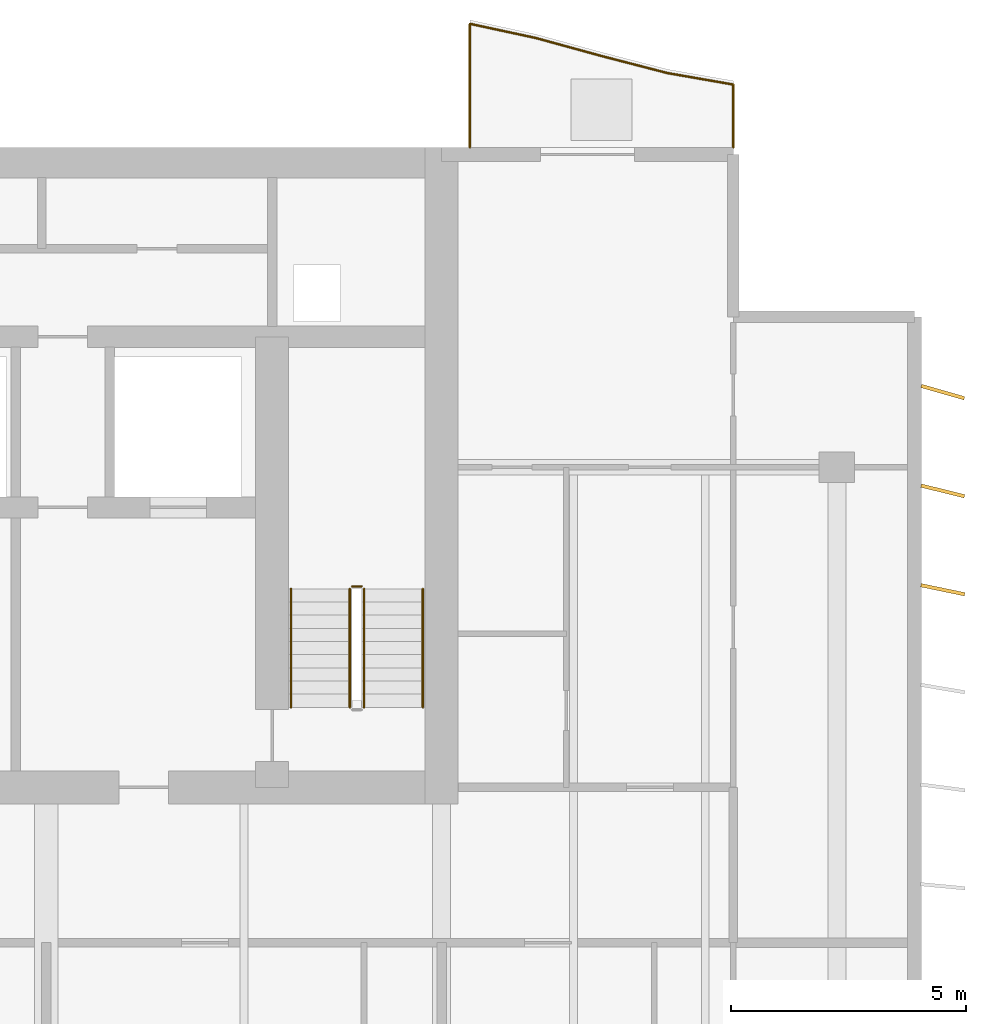
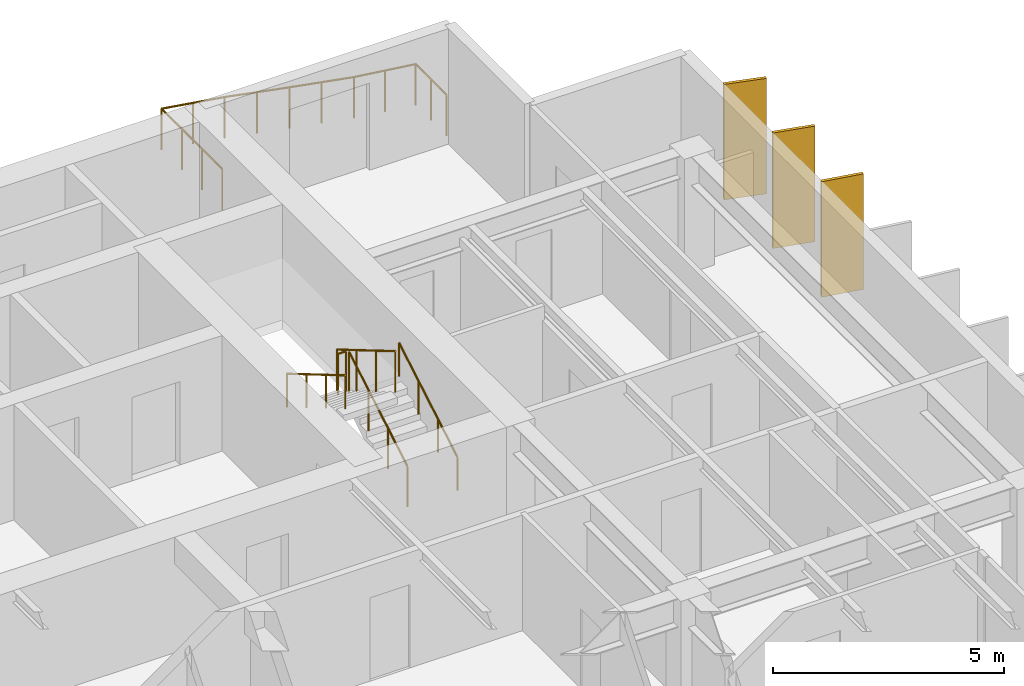
# One storey, part 17 of 17: 6 railings, 3 shading devices.
"""IFC4 building model written with IfcOpenShell, lengths in metres."""

from ifc_helpers import new_model, si_unit, direction, frame, origin, origin_2d, place, context, subcontext, project, spatial, rectangle, circle, extrude, material, material_profile, profile_set, type_object, element, save


model = new_model("IFC4")

# Units and contexts
model_context = context("Model", 3, precision=1e-05, world=origin(), true_north=direction((0.0, 1.0)))
body_context = subcontext(model_context, "Body", "Model", "MODEL_VIEW")
ifc_project = project(units=[si_unit("LENGTHUNIT", "METRE"), si_unit("AREAUNIT", "SQUARE_METRE"), si_unit("VOLUMEUNIT", "CUBIC_METRE"), si_unit("PLANEANGLEUNIT", "RADIAN"), si_unit("MASSUNIT", "GRAM", prefix="KILO")], contexts=[model_context])

# Site, building, storey
site_placement = place(None, origin())
site = spatial("IfcSite", under=ifc_project, at=site_placement, CompositionType="ELEMENT")
building_placement = place(site_placement, origin())
building = spatial("IfcBuilding", under=site, at=building_placement, Name="Caelmar Bay Residences", CompositionType="ELEMENT")
storey_placement = place(building_placement, frame((0.0, 0.0, 243.0)))
storey = spatial("IfcBuildingStorey", under=building, at=storey_placement, Name="L68", CompositionType="ELEMENT", Elevation=243.0)

# Railings
ifc_material_1 = material(Name="Anodised bronze handrail with laminated hurricane glass infill", Category="glass")
railing_type_1 = type_object("IfcRailingType", Name="RL-BAL-1100", PredefinedType="BALUSTRADE", material=ifc_material_1)
railing_1_placement = place(storey_placement, frame((65.699951171875, 50.60009765625, 0.0)))
element("IfcRailing", 1, at=railing_1_placement, inside=storey, type_object=railing_type_1, Name="L68 north_east Balcony Balustrade", PredefinedType="BALUSTRADE", context=body_context, shape_type="SweptSolid", body=[
    extrude(circle(Radius=0.02392578125, at=origin_2d()), frame((0.0, 0.0, 1.076171875), z_axis=(0.0, 1.0, 0.0), x_axis=(-1.0, 0.0, 0.0)), (0.0, 0.0, 1.0), 1.334716796875),
    extrude(circle(Radius=0.02392578125, at=origin_2d()), frame((0.0, 1.334716796875, 1.076171875), z_axis=(-0.985101853006, 0.171971913997, 0.0), x_axis=(-0.171971913997, -0.985101853006, 0.0)), (0.0, 0.0, 1.0), 1.421142578125),
    extrude(circle(Radius=0.02392578125, at=origin_2d()), frame((-1.39990234375, 1.5791015625, 1.076171875), z_axis=(-0.968113743572, 0.250511036698, 0.0), x_axis=(-0.250511036698, -0.968113743572, 0.0)), (0.0, 0.0, 1.0), 1.4462890625),
    extrude(circle(Radius=0.02392578125, at=origin_2d()), frame((-2.800048828125, 1.94140625, 1.076171875), z_axis=(-0.964456525256, 0.264241576766, 0.0), x_axis=(-0.264241576766, -0.964456525256, 0.0)), (0.0, 0.0, 1.0), 1.451416015625),
    extrude(circle(Radius=0.02392578125, at=origin_2d()), frame((-4.199951171875, 2.324951171875, 1.076171875), z_axis=(-0.97754721646, 0.210716491026, 0.0), x_axis=(-0.210716491026, -0.97754721646, 0.0)), (0.0, 0.0, 1.0), 1.43212890625),
    extrude(circle(Radius=0.02392578125, at=origin_2d()), frame((-5.599853515625, 2.626708984375, 1.076171875), z_axis=(0.0, -1.0, 0.0), x_axis=(1.0, 0.0, 0.0)), (0.0, 0.0, 1.0), 2.626708984375),
    extrude(circle(Radius=0.02099609375, at=origin_2d()), origin(), (0.0, 0.0, 1.0), 1.052001953125),
    extrude(circle(Radius=0.02099609375, at=origin_2d()), frame((0.0, 0.66748046875, 0.0)), (0.0, 0.0, 1.0), 1.052001953125),
    extrude(circle(Radius=0.02099609375, at=origin_2d()), frame((0.0, 1.334716796875, 0.0)), (0.0, 0.0, 1.0), 1.052001953125),
    extrude(circle(Radius=0.02099609375, at=origin_2d()), frame((-0.699951171875, 1.45703125, 0.0)), (0.0, 0.0, 1.0), 1.052001953125),
    extrude(circle(Radius=0.02099609375, at=origin_2d()), frame((-1.39990234375, 1.5791015625, 0.0)), (0.0, 0.0, 1.0), 1.052001953125),
    extrude(circle(Radius=0.02099609375, at=origin_2d()), frame((-2.10009765625, 1.76025390625, 0.0)), (0.0, 0.0, 1.0), 1.052001953125),
    extrude(circle(Radius=0.02099609375, at=origin_2d()), frame((-2.800048828125, 1.94140625, 0.0)), (0.0, 0.0, 1.0), 1.052001953125),
    extrude(circle(Radius=0.02099609375, at=origin_2d()), frame((-3.5, 2.13330078125, 0.0)), (0.0, 0.0, 1.0), 1.052001953125),
    extrude(circle(Radius=0.02099609375, at=origin_2d()), frame((-4.199951171875, 2.324951171875, 0.0)), (0.0, 0.0, 1.0), 1.052001953125),
    extrude(circle(Radius=0.02099609375, at=origin_2d()), frame((-4.89990234375, 2.475830078125, 0.0)), (0.0, 0.0, 1.0), 1.052001953125),
    extrude(circle(Radius=0.02099609375, at=origin_2d()), frame((-5.599853515625, 2.626708984375, 0.0)), (0.0, 0.0, 1.0), 1.052001953125),
    extrude(circle(Radius=0.02099609375, at=origin_2d()), frame((-5.599853515625, 1.751220703125, 0.0)), (0.0, 0.0, 1.0), 1.052001953125),
    extrude(circle(Radius=0.02099609375, at=origin_2d()), frame((-5.599853515625, 0.87548828125, 0.0)), (0.0, 0.0, 1.0), 1.052001953125),
    extrude(circle(Radius=0.02099609375, at=origin_2d()), frame((-5.599853515625, 0.0, 0.0)), (0.0, 0.0, 1.0), 1.052001953125),
])
ifc_material_2 = material(Name="Painted galvanized steel stair guard 1100 mm", Category="steel")
railing_type_2 = type_object("IfcRailingType", Name="RL-GRD-1100", PredefinedType="GUARDRAIL", material=ifc_material_2)
railing_2_placement = place(storey_placement, frame((57.85009765625, 38.699951171875, 0.1650390625)))
element("IfcRailing", 2, at=railing_2_placement, inside=storey, type_object=railing_type_2, Name="L68 ST2 stair guard 1", PredefinedType="GUARDRAIL", context=body_context, shape_type="SweptSolid", body=[
    extrude(circle(Radius=0.02392578125, at=origin_2d()), frame((0.0, 0.0, 1.076171875), z_axis=(0.0, 0.861560626758, 0.507654692109), x_axis=(-1.0, 0.0, 0.0)), (0.0, 0.0, 1.0), 2.925048828125),
    extrude(circle(Radius=0.02099609375, at=origin_2d()), origin(), (0.0, 0.0, 1.0), 1.052001953125),
    extrude(circle(Radius=0.02099609375, at=origin_2d()), frame((0.0, 0.840087890625, 0.494873046875)), (0.0, 0.0, 1.0), 1.052001953125),
    extrude(circle(Radius=0.02099609375, at=origin_2d()), frame((0.0, 1.679931640625, 0.989990234375)), (0.0, 0.0, 1.0), 1.052001953125),
    extrude(circle(Radius=0.02099609375, at=origin_2d()), frame((0.0, 2.52001953125, 1.48486328125)), (0.0, 0.0, 1.0), 1.052001953125),
])
railing_3_placement = place(storey_placement, frame((57.800048828125, 41.27001953125, 1.64990234375)))
element("IfcRailing", 3, at=railing_3_placement, inside=storey, type_object=railing_type_2, Name="L68 ST2 stair guard 2", PredefinedType="GUARDRAIL", context=body_context, shape_type="SweptSolid", body=[
    extrude(circle(Radius=0.02392578125, at=origin_2d()), frame((0.0, 0.0, 1.076171875), z_axis=(-1.0, 0.0, 0.0), x_axis=(0.0, -1.0, 0.0)), (0.0, 0.0, 1.0), 0.199951171875),
    extrude(circle(Radius=0.02099609375, at=origin_2d()), origin(), (0.0, 0.0, 1.0), 1.052001953125),
    extrude(circle(Radius=0.02099609375, at=origin_2d()), frame((-0.199951171875, 0.0, 0.0)), (0.0, 0.0, 1.0), 1.052001953125),
])
railing_4_placement = place(storey_placement, frame((57.550048828125, 41.219970703125, 1.81494140625)))
element("IfcRailing", 4, at=railing_4_placement, inside=storey, type_object=railing_type_2, Name="L68 ST2 stair guard 3", PredefinedType="GUARDRAIL", context=body_context, shape_type="SweptSolid", body=[
    extrude(circle(Radius=0.02392578125, at=origin_2d()), frame((0.0, 0.0, 1.076171875), z_axis=(0.0, -0.86152411907, 0.507716645641), x_axis=(1.0, 0.0, 0.0)), (0.0, 0.0, 1.0), 2.925048828125),
    extrude(circle(Radius=0.02099609375, at=origin_2d()), origin(), (0.0, 0.0, 1.0), 1.052001953125),
    extrude(circle(Radius=0.02099609375, at=origin_2d()), frame((0.0, -0.840087890625, 0.4951171875)), (0.0, 0.0, 1.0), 1.052001953125),
    extrude(circle(Radius=0.02099609375, at=origin_2d()), frame((0.0, -1.679931640625, 0.989990234375)), (0.0, 0.0, 1.0), 1.052001953125),
    extrude(circle(Radius=0.02099609375, at=origin_2d()), frame((0.0, -2.52001953125, 1.485107421875)), (0.0, 0.0, 1.0), 1.052001953125),
])
ifc_material_3 = material(Name="Brushed bronze stainless-steel tubular handrail 900 mm", Category="steel")
railing_type_3 = type_object("IfcRailingType", Name="RL-HND-900", PredefinedType="HANDRAIL", material=ifc_material_3)
railing_5_placement = place(storey_placement, frame((59.10009765625, 38.699951171875, 0.1650390625)))
element("IfcRailing", 5, at=railing_5_placement, inside=storey, type_object=railing_type_3, Name="L68 ST2 stair handrail 1", PredefinedType="HANDRAIL", context=body_context, shape_type="SweptSolid", body=[
    extrude(circle(Radius=0.02392578125, at=origin_2d()), frame((0.0, 0.0, 0.8759765625), z_axis=(0.0, 0.861560626758, 0.507654692109), x_axis=(-1.0, 0.0, 0.0)), (0.0, 0.0, 1.0), 2.925048828125),
    extrude(circle(Radius=0.02099609375, at=origin_2d()), origin(), (0.0, 0.0, 1.0), 0.851806640625),
    extrude(circle(Radius=0.02099609375, at=origin_2d()), frame((0.0, 0.840087890625, 0.494873046875)), (0.0, 0.0, 1.0), 0.851806640625),
    extrude(circle(Radius=0.02099609375, at=origin_2d()), frame((0.0, 1.679931640625, 0.989990234375)), (0.0, 0.0, 1.0), 0.851806640625),
    extrude(circle(Radius=0.02099609375, at=origin_2d()), frame((0.0, 2.52001953125, 1.48486328125)), (0.0, 0.0, 1.0), 0.851806640625),
])
railing_6_placement = place(storey_placement, frame((56.300048828125, 41.219970703125, 1.81494140625)))
element("IfcRailing", 6, at=railing_6_placement, inside=storey, type_object=railing_type_3, Name="L68 ST2 stair handrail 2", PredefinedType="HANDRAIL", context=body_context, shape_type="SweptSolid", body=[
    extrude(circle(Radius=0.02392578125, at=origin_2d()), frame((0.0, 0.0, 0.8759765625), z_axis=(0.0, -0.86152411907, 0.507716645641), x_axis=(1.0, 0.0, 0.0)), (0.0, 0.0, 1.0), 2.925048828125),
    extrude(circle(Radius=0.02099609375, at=origin_2d()), origin(), (0.0, 0.0, 1.0), 0.851806640625),
    extrude(circle(Radius=0.02099609375, at=origin_2d()), frame((0.0, -0.840087890625, 0.4951171875)), (0.0, 0.0, 1.0), 0.851806640625),
    extrude(circle(Radius=0.02099609375, at=origin_2d()), frame((0.0, -1.679931640625, 0.989990234375)), (0.0, 0.0, 1.0), 0.851806640625),
    extrude(circle(Radius=0.02099609375, at=origin_2d()), frame((0.0, -2.52001953125, 1.485107421875)), (0.0, 0.0, 1.0), 0.851806640625),
])

# Shading devices
ifc_material_4 = material(Name="Anodised architectural bronze aluminium 6063-T6", Category="aluminium")
ifc_material_profile = material_profile(ifc_material_4, rectangle(XDim=0.074951171875, YDim=0.949951171875, at=origin_2d()), Name="BRONZE-FIN-75X950")
ifc_profile_set = profile_set([ifc_material_profile], Name="Anodised architectural bronze aluminium 6063-T6")
shading_device_type = type_object("IfcShadingDeviceType", Name="SHD-FIN-950", PredefinedType="USERDEFINED", material=ifc_profile_set)
for number, where, z_axis, x_axis, name in (
    (7, (70.14990234375, 41.199951171875, 0.0), (0.0, 0.0, 1.0), (0.2032999874, 0.979116497217, 0.0), "L68 East Bronze Solar Fin 14"),
    (8, (70.14990234375, 43.300048828125, 0.0), (0.0, 0.0, 1.0), (0.239719743609, 0.970842131618, 0.0), "L68 East Bronze Solar Fin 15"),
    (9, (70.14990234375, 45.39990234375, 0.0), (0.0, 0.0, 1.0), (0.275637355817, 0.961261695938, 0.0), "L68 East Bronze Solar Fin 16"),
):
    element("IfcShadingDevice", number, at=place(storey_placement, frame(where, z_axis=z_axis, x_axis=x_axis)), inside=storey, type_object=shading_device_type, Name=name, ObjectType="FIN", PredefinedType="USERDEFINED", context=body_context, shape_type="SweptSolid", body=[
        extrude(rectangle(XDim=0.074951171875, YDim=0.949951171875, at=origin_2d()), origin(), (0.0, 0.0, 1.0), 3.050048828125),
    ])

save(model, "model.ifc")
